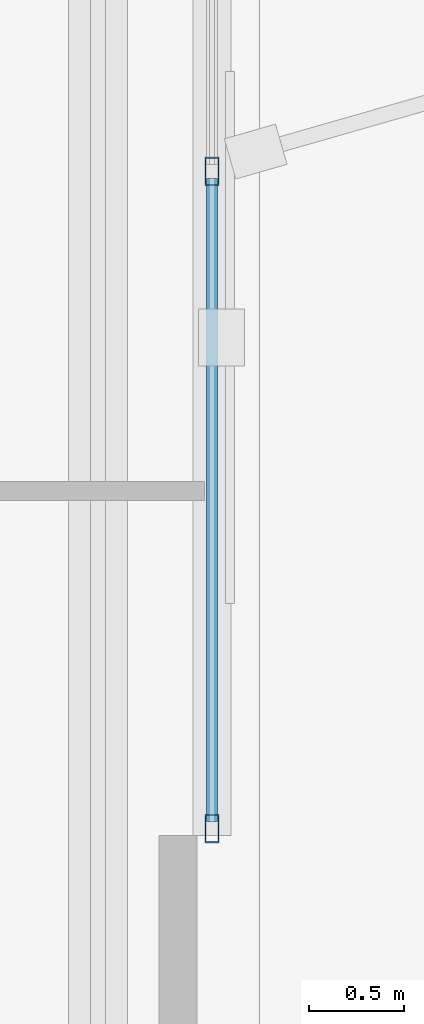
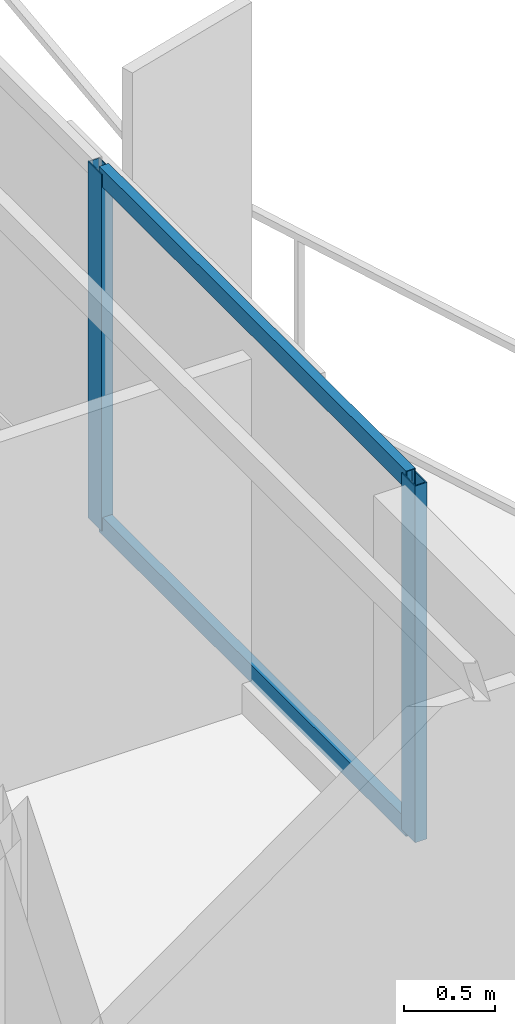
# One storey, part 7 of 18: 4 members, 1 element without a shape of its own.
"""IFC4 building model written with IfcOpenShell, lengths in metres."""

from ifc_helpers import new_model, si_unit, direction, frame, origin, origin_2d, place, context, subcontext, project, spatial, hollow_rectangle, extrude, material, layer, layer_set, material_profile, profile_set, type_object, element, aggregate, save


model = new_model("IFC4")

# Units and contexts
model_context = context("Model", 3, precision=1e-05, world=origin(), true_north=direction((0.0, 1.0)))
body_context = subcontext(model_context, "Body", "Model", "MODEL_VIEW")
ifc_project = project(units=[si_unit("LENGTHUNIT", "METRE"), si_unit("AREAUNIT", "SQUARE_METRE"), si_unit("VOLUMEUNIT", "CUBIC_METRE"), si_unit("PLANEANGLEUNIT", "RADIAN"), si_unit("MASSUNIT", "GRAM", prefix="KILO")], contexts=[model_context])

# Site, building, storey
site_placement = place(None, origin())
site = spatial("IfcSite", under=ifc_project, at=site_placement, CompositionType="ELEMENT")
building_placement = place(site_placement, origin())
building = spatial("IfcBuilding", under=site, at=building_placement, Name="Mersakhor Tower and Convention Hall", CompositionType="ELEMENT")
storey_placement = place(building_placement, frame((0.0, 0.0, 157.5)))
storey = spatial("IfcBuildingStorey", under=building, at=storey_placement, Name="L44", CompositionType="ELEMENT", Elevation=157.5)

# Curtain wall, members
ifc_material_1 = material(Name="Dark solar low-E aluminium curtain wall", Category="aluminium")
ifc_layer = layer(ifc_material_1, 0.169921875)
ifc_layer_set = layer_set([ifc_layer], Name="Dark solar low-E aluminium curtain wall")
curtain_wall_type = type_object("IfcCurtainWallType", Name="CW-SYS-02", PredefinedType="USERDEFINED", material=ifc_layer_set)
curtain_wall_placement = place(storey_placement, origin())
curtain_wall = element("IfcCurtainWall", 1, at=curtain_wall_placement, inside=storey, type_object=curtain_wall_type, Name="L44 Dark-Glass Curtain Wall F2-B2", ObjectType="CURTAIN WALL", PredefinedType="USERDEFINED")
ifc_material_2 = material(Name="Anodised aluminium EN AW-6063 T6", Category="aluminium")
ifc_material_profile_1 = material_profile(ifc_material_2, hollow_rectangle(XDim=0.074951171875, YDim=0.14990234375, WallThickness=0.00634765625, at=origin_2d()), Name="RHS 150x75x6.3")
ifc_profile_set_1 = profile_set([ifc_material_profile_1], Name="Anodised aluminium EN AW-6063 T6")
member_type_1 = type_object("IfcMemberType", Name="CWM-150x75", PredefinedType="MULLION", material=ifc_profile_set_1)
member_1_placement = place(storey_placement, frame((42.21923828125, 25.00244140625, 0.199951171875), z_axis=(0.0, 0.0, 1.0), x_axis=(1.0, 0.0, 0.0)))
member_1 = element("IfcMember", 2, at=member_1_placement, type_object=member_type_1, Name="CW-02 mullion 3", PredefinedType="MULLION", context=body_context, shape_type="SweptSolid", body=[
    extrude(hollow_rectangle(XDim=0.074951171875, YDim=0.14990234375, WallThickness=0.00634765625, at=origin_2d()), origin(), (0.0, 0.0, 1.0), 2.400146484375),
])
member_2_placement = place(storey_placement, frame((42.21923828125, 21.54443359375, 0.199951171875), z_axis=(0.0, 0.0, 1.0), x_axis=(1.0, 0.0, 0.0)))
member_2 = element("IfcMember", 3, at=member_2_placement, type_object=member_type_1, Name="CW-02 mullion 4", PredefinedType="MULLION", context=body_context, shape_type="SweptSolid", body=[
    extrude(hollow_rectangle(XDim=0.074951171875, YDim=0.14990234375, WallThickness=0.00634765625, at=origin_2d()), origin(), (0.0, 0.0, 1.0), 2.400146484375),
])
ifc_material_3 = material(Name="Anodised aluminium EN AW-6063 T6", Category="aluminium")
ifc_material_profile_2 = material_profile(ifc_material_3, hollow_rectangle(XDim=0.06005859375, YDim=0.1201171875, WallThickness=0.0048828125, at=origin_2d()), Name="RHS 120x60x5")
ifc_profile_set_2 = profile_set([ifc_material_profile_2], Name="Anodised aluminium EN AW-6063 T6")
member_type_2 = type_object("IfcMemberType", Name="CWT-120x60", PredefinedType="USERDEFINED", material=ifc_profile_set_2)
member_3_placement = place(storey_placement, frame((42.21923828125, 24.96484375, 0.22998046875), z_axis=(0.0, -1.0, 0.0), x_axis=(1.0, 0.0, 0.0)))
member_3 = element("IfcMember", 4, at=member_3_placement, type_object=member_type_2, Name="CW-02 transom 3.1", ObjectType="TRANSOM", PredefinedType="USERDEFINED", context=body_context, shape_type="SweptSolid", body=[
    extrude(hollow_rectangle(XDim=0.06005859375, YDim=0.1201171875, WallThickness=0.0048828125, at=origin_2d()), origin(), (0.0, 0.0, 1.0), 3.3828125),
])
member_4_placement = place(storey_placement, frame((42.21923828125, 24.96484375, 2.570068359375), z_axis=(0.0, -1.0, 0.0), x_axis=(1.0, 0.0, 0.0)))
member_4 = element("IfcMember", 5, at=member_4_placement, type_object=member_type_2, Name="CW-02 transom 3.2", ObjectType="TRANSOM", PredefinedType="USERDEFINED", context=body_context, shape_type="SweptSolid", body=[
    extrude(hollow_rectangle(XDim=0.06005859375, YDim=0.1201171875, WallThickness=0.0048828125, at=origin_2d()), origin(), (0.0, 0.0, 1.0), 3.3828125),
])
aggregate(curtain_wall, [member_1, member_2, member_3, member_4])

save(model, "model.ifc")
